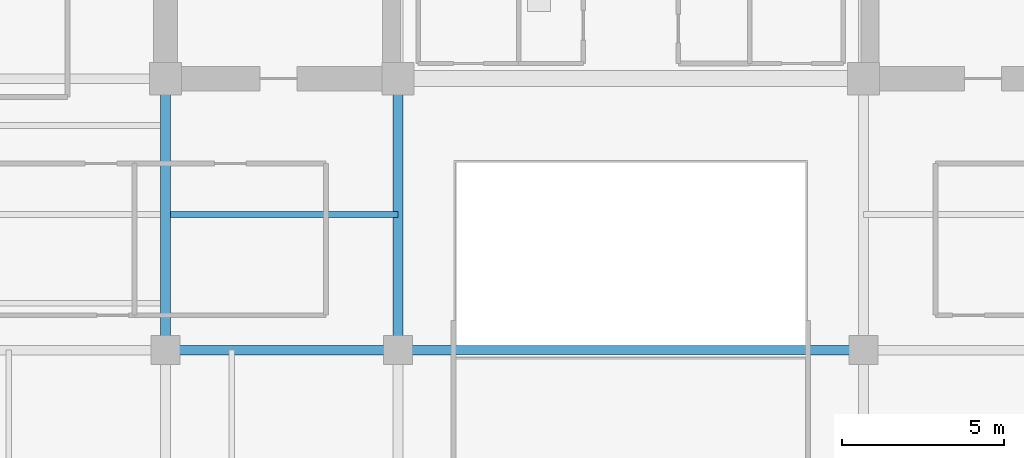
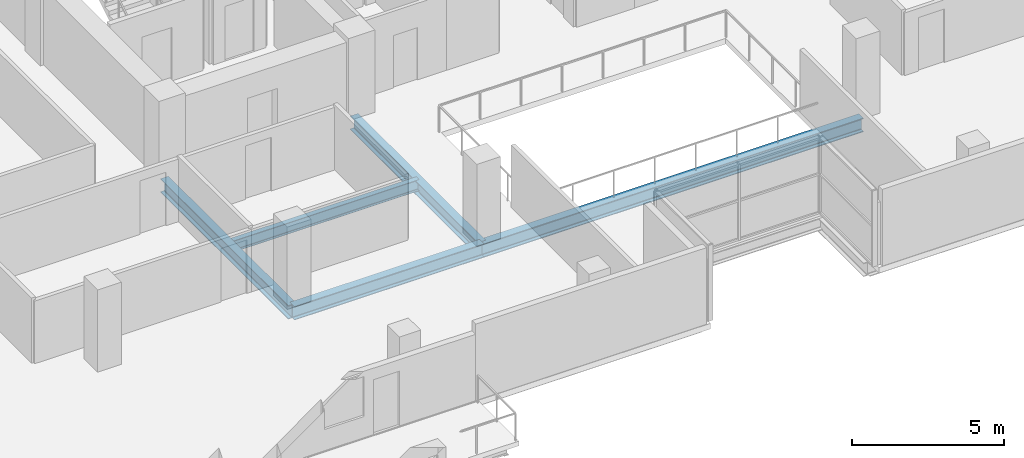
# One storey, part 5 of 27: 5 beams.
"""IFC4 building model written with IfcOpenShell, lengths in metres."""

from ifc_helpers import new_model, si_unit, direction, frame, origin, origin_2d, place, context, subcontext, project, spatial, i_section, extrude, material, material_profile, profile_set, type_object, element, save


model = new_model("IFC4")

# Units and contexts
model_context = context("Model", 3, precision=1e-05, world=origin(), true_north=direction((0.0, 1.0)))
body_context = subcontext(model_context, "Body", "Model", "MODEL_VIEW")
ifc_project = project(units=[si_unit("LENGTHUNIT", "METRE"), si_unit("AREAUNIT", "SQUARE_METRE"), si_unit("VOLUMEUNIT", "CUBIC_METRE"), si_unit("PLANEANGLEUNIT", "RADIAN"), si_unit("MASSUNIT", "GRAM", prefix="KILO")], contexts=[model_context])

# Site, building, storey
site_placement = place(None, origin())
site = spatial("IfcSite", under=ifc_project, at=site_placement, CompositionType="ELEMENT")
building_placement = place(site_placement, origin())
building = spatial("IfcBuilding", under=site, at=building_placement, Name="Zarnakvel Exchange Tower", CompositionType="ELEMENT")
storey_placement = place(building_placement, frame((0.0, 0.0, 96.699951171875)))
storey = spatial("IfcBuildingStorey", under=building, at=storey_placement, Name="L26", CompositionType="ELEMENT", Elevation=96.699951171875)

# Beams
ifc_material = material(Name="Steel S355", Category="steel")
ifc_material_profile_1 = material_profile(ifc_material, i_section(OverallWidth=0.18994140625, OverallDepth=0.449951171875, WebThickness=0.009521484375, FlangeThickness=0.0146484375, FilletRadius=0.02099609375, at=origin_2d()))
ifc_profile_set_1 = profile_set([ifc_material_profile_1], Name="Steel S355")
beam_type_1 = type_object("IfcBeamType", Name="B-05", PredefinedType="JOIST", material=ifc_profile_set_1)
beam_1_placement = place(storey_placement, frame((-14.25, -5.39990234375, -0.449951171875), z_axis=(1.0, 0.0, 0.0), x_axis=(0.0, 1.0, 0.0)))
element("IfcBeam", 1, at=beam_1_placement, inside=storey, type_object=beam_type_1, Name="L26 Composite Floor Secondary Joist", PredefinedType="JOIST", context=body_context, shape_type="SweptSolid", body=[
    extrude(i_section(OverallWidth=0.18994140625, OverallDepth=0.449951171875, WebThickness=0.009521484375, FlangeThickness=0.0146484375, FilletRadius=0.02099609375, at=origin_2d()), origin(), (0.0, 0.0, 1.0), 7.050048828125),
])
ifc_material_profile_2 = material_profile(ifc_material, i_section(OverallWidth=0.300048828125, OverallDepth=0.550048828125, WebThickness=0.014892578125, FlangeThickness=0.029052734375, FilletRadius=0.027099609375, at=origin_2d()))
ifc_profile_set_2 = profile_set([ifc_material_profile_2], Name="Steel S355")
beam_type_2 = type_object("IfcBeamType", Name="G-05", PredefinedType="BEAM", material=ifc_profile_set_2)
beam_2_placement = place(storey_placement, frame((-14.39990234375, -9.60009765625, -0.5), z_axis=(1.0, 0.0, 0.0), x_axis=(0.0, 1.0, 0.0)))
element("IfcBeam", 2, at=beam_2_placement, inside=storey, type_object=beam_type_2, Name="L26 Tower E-W Frame Beam", PredefinedType="BEAM", context=body_context, shape_type="SweptSolid", body=[
    extrude(i_section(OverallWidth=0.300048828125, OverallDepth=0.550048828125, WebThickness=0.014892578125, FlangeThickness=0.029052734375, FilletRadius=0.027099609375, at=origin_2d()), origin(), (0.0, 0.0, 1.0), 7.199951171875),
])
beam_3_placement = place(storey_placement, frame((-7.199951171875, -9.60009765625, -0.5), z_axis=(1.0, 0.0, 0.0), x_axis=(0.0, 1.0, 0.0)))
element("IfcBeam", 3, at=beam_3_placement, inside=storey, type_object=beam_type_2, Name="L26 Tower E-W Frame Beam", PredefinedType="BEAM", context=body_context, shape_type="SweptSolid", body=[
    extrude(i_section(OverallWidth=0.300048828125, OverallDepth=0.550048828125, WebThickness=0.014892578125, FlangeThickness=0.029052734375, FilletRadius=0.027099609375, at=origin_2d()), origin(), (0.0, 0.0, 1.0), 14.39990234375),
])
for number, where, z_axis, x_axis, name in (
    (4, (-14.39990234375, -9.60009765625, -0.5), (0.0, 1.0, 0.0), (-1.0, 0.0, 0.0), "L26 Tower N-S Frame Beam"),
    (5, (-7.199951171875, -9.60009765625, -0.5), (0.0, 1.0, 0.0), (-1.0, 0.0, 0.0), "L26 Tower N-S Frame Beam"),
):
    element("IfcBeam", number, at=place(storey_placement, frame(where, z_axis=z_axis, x_axis=x_axis)), inside=storey, type_object=beam_type_2, Name=name, PredefinedType="BEAM", context=body_context, shape_type="SweptSolid", body=[
        extrude(i_section(OverallWidth=0.300048828125, OverallDepth=0.550048828125, WebThickness=0.014892578125, FlangeThickness=0.029052734375, FilletRadius=0.027099609375, at=origin_2d()), origin(), (0.0, 0.0, 1.0), 8.400146484375),
    ])

save(model, "model.ifc")
